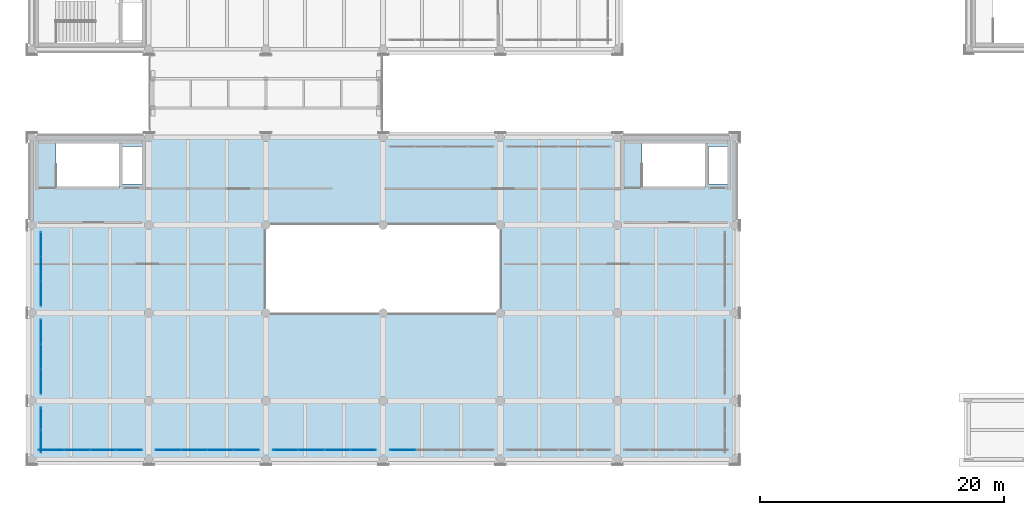
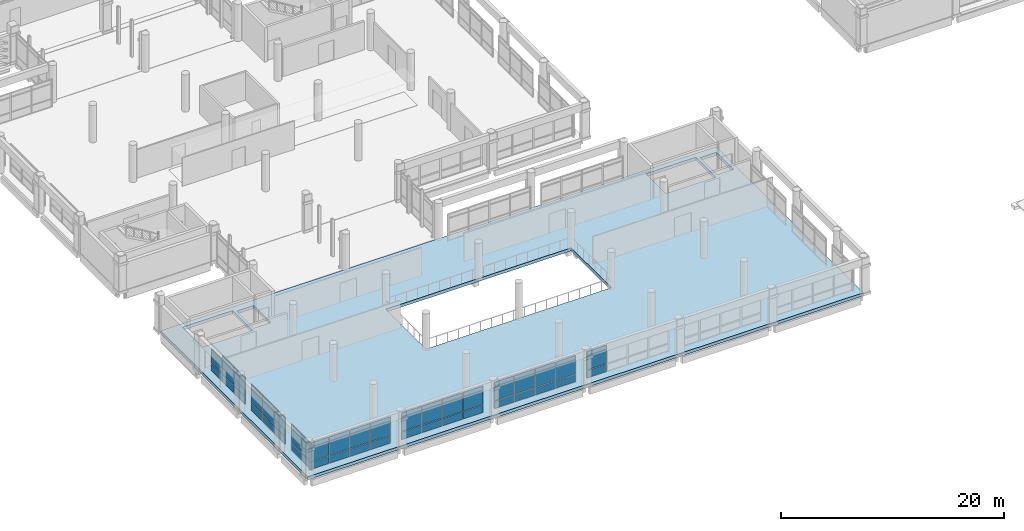
# One storey, part 120 of 180: 62 plates, 1 slab, 7 elements without a shape of their own.
"""IFC4 building model written with IfcOpenShell, lengths in metres."""

from ifc_helpers import new_model, si_unit, direction, frame, origin, origin_2d, place, context, subcontext, project, spatial, polyline, rectangle, outline, extrude, material, layer, layer_set, type_object, element, aggregate, save


model = new_model("IFC4")

# Units and contexts
model_context = context("Model", 3, precision=1e-05, world=origin(), true_north=direction((0.0, 1.0)))
body_context = subcontext(model_context, "Body", "Model", "MODEL_VIEW")
ifc_project = project(units=[si_unit("LENGTHUNIT", "METRE"), si_unit("AREAUNIT", "SQUARE_METRE"), si_unit("VOLUMEUNIT", "CUBIC_METRE"), si_unit("PLANEANGLEUNIT", "RADIAN"), si_unit("MASSUNIT", "GRAM", prefix="KILO")], contexts=[model_context])

# Site, building, storey
site_placement = place(None, origin())
site = spatial("IfcSite", under=ifc_project, at=site_placement, CompositionType="ELEMENT")
building_placement = place(site_placement, origin())
building = spatial("IfcBuilding", under=site, at=building_placement, Name="Asteropetra Specialist Clinic", CompositionType="ELEMENT")
storey_placement = place(building_placement, frame((0.0, 0.0, 4.419921875)))
storey = spatial("IfcBuildingStorey", under=building, at=storey_placement, Name="L01", CompositionType="ELEMENT", Elevation=4.419921875)

# Curtain wall, plates
ifc_material_1 = material(Name="Aluminium and low-E glass", Category="aluminium")
ifc_layer_1 = layer(ifc_material_1, 0.135009765625)
ifc_layer_set_1 = layer_set([ifc_layer_1], Name="Aluminium and low-E glass")
curtain_wall_type_1 = type_object("IfcCurtainWallType", Name="CW-SYS-09", PredefinedType="USERDEFINED", material=ifc_layer_set_1)
curtain_wall_1_placement = place(storey_placement, origin())
curtain_wall_1 = element("IfcCurtainWall", 1, at=curtain_wall_1_placement, inside=storey, type_object=curtain_wall_type_1, Name="Curtain Wall CW-136", ObjectType="STICK GLAZED COLONNADE", PredefinedType="USERDEFINED")
ifc_material_2 = material(Name="Low-E double glazing", Category="glass")
ifc_layer_2 = layer(ifc_material_2, 0.028076171875)
ifc_layer_set_2 = layer_set([ifc_layer_2], Name="Low-E double glazing")
plate_type_1 = type_object("IfcPlateType", Name="CWP-GLZ-28", PredefinedType="CURTAIN_PANEL", material=ifc_layer_set_2)
plate_1_placement = place(storey_placement, frame((30.398681640625, 0.780029296875, 0.06494140625), z_axis=(0.0, 0.0, 1.0), x_axis=(1.0, 0.0, 0.0)))
plate_1 = element("IfcPlate", 2, at=plate_1_placement, type_object=plate_type_1, Name="CW-136 panel 1.1", PredefinedType="CURTAIN_PANEL", context=body_context, shape_type="SweptSolid", body=[
    extrude(rectangle(XDim=2.047607421875, YDim=0.028076171875, at=origin_2d()), origin(), (0.0, 0.0, 1.0), 0.802490234375),
])
plate_2_placement = place(storey_placement, frame((30.398681640625, 0.780029296875, 0.9326171875), z_axis=(0.0, 0.0, 1.0), x_axis=(1.0, 0.0, 0.0)))
plate_2 = element("IfcPlate", 3, at=plate_2_placement, type_object=plate_type_1, Name="CW-136 panel 1.2", PredefinedType="CURTAIN_PANEL", context=body_context, shape_type="SweptSolid", body=[
    extrude(rectangle(XDim=2.047607421875, YDim=0.028076171875, at=origin_2d()), origin(), (0.0, 0.0, 1.0), 1.544921875),
])
plate_3_placement = place(storey_placement, frame((30.398681640625, 0.780029296875, 2.54248046875), z_axis=(0.0, 0.0, 1.0), x_axis=(1.0, 0.0, 0.0)))
plate_3 = element("IfcPlate", 4, at=plate_3_placement, type_object=plate_type_1, Name="CW-136 panel 1.3", PredefinedType="CURTAIN_PANEL", context=body_context, shape_type="SweptSolid", body=[
    extrude(rectangle(XDim=2.047607421875, YDim=0.028076171875, at=origin_2d()), origin(), (0.0, 0.0, 1.0), 0.402587890625),
])
aggregate(curtain_wall_1, [plate_1, plate_2, plate_3])

curtain_wall_2_placement = place(storey_placement, origin())
curtain_wall_2 = element("IfcCurtainWall", 5, at=curtain_wall_2_placement, inside=storey, type_object=curtain_wall_type_1, Name="Curtain Wall CW-133", ObjectType="STICK GLAZED COLONNADE", PredefinedType="USERDEFINED")
ifc_material_3 = material(Name="Low-E acoustic double glazing", Category="glass")
ifc_layer_3 = layer(ifc_material_3, 0.031982421875)
ifc_layer_set_3 = layer_set([ifc_layer_3], Name="Low-E acoustic double glazing")
plate_type_2 = type_object("IfcPlateType", Name="CWP-GLZ-32", PredefinedType="CURTAIN_PANEL", material=ifc_layer_set_3)
plate_4_placement = place(storey_placement, frame((1.5986328125, 0.780029296875, 0.06494140625), z_axis=(0.0, 0.0, 1.0), x_axis=(1.0, 0.0, 0.0)))
plate_4 = element("IfcPlate", 6, at=plate_4_placement, type_object=plate_type_2, Name="CW-133 panel 1.1", PredefinedType="CURTAIN_PANEL", context=body_context, shape_type="SweptSolid", body=[
    extrude(rectangle(XDim=2.047607421875, YDim=0.031982421875, at=origin_2d()), origin(), (0.0, 0.0, 1.0), 0.802490234375),
])
plate_5_placement = place(storey_placement, frame((1.5986328125, 0.780029296875, 0.9326171875), z_axis=(0.0, 0.0, 1.0), x_axis=(1.0, 0.0, 0.0)))
plate_5 = element("IfcPlate", 7, at=plate_5_placement, type_object=plate_type_2, Name="CW-133 panel 1.2", PredefinedType="CURTAIN_PANEL", context=body_context, shape_type="SweptSolid", body=[
    extrude(rectangle(XDim=2.047607421875, YDim=0.031982421875, at=origin_2d()), origin(), (0.0, 0.0, 1.0), 1.544921875),
])
plate_6_placement = place(storey_placement, frame((1.5986328125, 0.780029296875, 2.54248046875), z_axis=(0.0, 0.0, 1.0), x_axis=(1.0, 0.0, 0.0)))
plate_6 = element("IfcPlate", 8, at=plate_6_placement, type_object=plate_type_2, Name="CW-133 panel 1.3", PredefinedType="CURTAIN_PANEL", context=body_context, shape_type="SweptSolid", body=[
    extrude(rectangle(XDim=2.047607421875, YDim=0.031982421875, at=origin_2d()), origin(), (0.0, 0.0, 1.0), 0.402587890625),
])
plate_7_placement = place(storey_placement, frame((3.7275390625, 0.780029296875, 0.06494140625), z_axis=(0.0, 0.0, 1.0), x_axis=(1.0, 0.0, 0.0)))
plate_7 = element("IfcPlate", 9, at=plate_7_placement, type_object=plate_type_2, Name="CW-133 panel 2.1", PredefinedType="CURTAIN_PANEL", context=body_context, shape_type="SweptSolid", body=[
    extrude(rectangle(XDim=2.080078125, YDim=0.031982421875, at=origin_2d()), origin(), (0.0, 0.0, 1.0), 0.802490234375),
])
plate_8_placement = place(storey_placement, frame((3.7275390625, 0.780029296875, 0.9326171875), z_axis=(0.0, 0.0, 1.0), x_axis=(1.0, 0.0, 0.0)))
plate_8 = element("IfcPlate", 10, at=plate_8_placement, type_object=plate_type_2, Name="CW-133 panel 2.2", PredefinedType="CURTAIN_PANEL", context=body_context, shape_type="SweptSolid", body=[
    extrude(rectangle(XDim=2.080078125, YDim=0.031982421875, at=origin_2d()), origin(), (0.0, 0.0, 1.0), 1.544921875),
])
plate_9_placement = place(storey_placement, frame((3.7275390625, 0.780029296875, 2.54248046875), z_axis=(0.0, 0.0, 1.0), x_axis=(1.0, 0.0, 0.0)))
plate_9 = element("IfcPlate", 11, at=plate_9_placement, type_object=plate_type_2, Name="CW-133 panel 2.3", PredefinedType="CURTAIN_PANEL", context=body_context, shape_type="SweptSolid", body=[
    extrude(rectangle(XDim=2.080078125, YDim=0.031982421875, at=origin_2d()), origin(), (0.0, 0.0, 1.0), 0.402587890625),
])
plate_10_placement = place(storey_placement, frame((5.87255859375, 0.780029296875, 0.06494140625), z_axis=(0.0, 0.0, 1.0), x_axis=(1.0, 0.0, 0.0)))
plate_10 = element("IfcPlate", 12, at=plate_10_placement, type_object=plate_type_2, Name="CW-133 panel 3.1", PredefinedType="CURTAIN_PANEL", context=body_context, shape_type="SweptSolid", body=[
    extrude(rectangle(XDim=2.080078125, YDim=0.031982421875, at=origin_2d()), origin(), (0.0, 0.0, 1.0), 0.802490234375),
])
plate_11_placement = place(storey_placement, frame((5.87255859375, 0.780029296875, 0.9326171875), z_axis=(0.0, 0.0, 1.0), x_axis=(1.0, 0.0, 0.0)))
plate_11 = element("IfcPlate", 13, at=plate_11_placement, type_object=plate_type_2, Name="CW-133 panel 3.2", PredefinedType="CURTAIN_PANEL", context=body_context, shape_type="SweptSolid", body=[
    extrude(rectangle(XDim=2.080078125, YDim=0.031982421875, at=origin_2d()), origin(), (0.0, 0.0, 1.0), 1.544921875),
])
plate_12_placement = place(storey_placement, frame((5.87255859375, 0.780029296875, 2.54248046875), z_axis=(0.0, 0.0, 1.0), x_axis=(1.0, 0.0, 0.0)))
plate_12 = element("IfcPlate", 14, at=plate_12_placement, type_object=plate_type_2, Name="CW-133 panel 3.3", PredefinedType="CURTAIN_PANEL", context=body_context, shape_type="SweptSolid", body=[
    extrude(rectangle(XDim=2.080078125, YDim=0.031982421875, at=origin_2d()), origin(), (0.0, 0.0, 1.0), 0.402587890625),
])
plate_13_placement = place(storey_placement, frame((8.001220703125, 0.780029296875, 0.06494140625), z_axis=(0.0, 0.0, 1.0), x_axis=(1.0, 0.0, 0.0)))
plate_13 = element("IfcPlate", 15, at=plate_13_placement, type_object=plate_type_2, Name="CW-133 panel 4.1", PredefinedType="CURTAIN_PANEL", context=body_context, shape_type="SweptSolid", body=[
    extrude(rectangle(XDim=2.047607421875, YDim=0.031982421875, at=origin_2d()), origin(), (0.0, 0.0, 1.0), 0.802490234375),
])
plate_14_placement = place(storey_placement, frame((8.001220703125, 0.780029296875, 0.9326171875), z_axis=(0.0, 0.0, 1.0), x_axis=(1.0, 0.0, 0.0)))
plate_14 = element("IfcPlate", 16, at=plate_14_placement, type_object=plate_type_2, Name="CW-133 panel 4.2", PredefinedType="CURTAIN_PANEL", context=body_context, shape_type="SweptSolid", body=[
    extrude(rectangle(XDim=2.047607421875, YDim=0.031982421875, at=origin_2d()), origin(), (0.0, 0.0, 1.0), 1.544921875),
])
plate_15_placement = place(storey_placement, frame((8.001220703125, 0.780029296875, 2.54248046875), z_axis=(0.0, 0.0, 1.0), x_axis=(1.0, 0.0, 0.0)))
plate_15 = element("IfcPlate", 17, at=plate_15_placement, type_object=plate_type_2, Name="CW-133 panel 4.3", PredefinedType="CURTAIN_PANEL", context=body_context, shape_type="SweptSolid", body=[
    extrude(rectangle(XDim=2.047607421875, YDim=0.031982421875, at=origin_2d()), origin(), (0.0, 0.0, 1.0), 0.402587890625),
])
aggregate(curtain_wall_2, [plate_4, plate_5, plate_6, plate_7, plate_8, plate_9, plate_10, plate_11, plate_12, plate_13, plate_14, plate_15])

ifc_material_4 = material(Name="Aluminium and low-E glass", Category="aluminium")
ifc_layer_4 = layer(ifc_material_4, 0.179931640625)
ifc_layer_set_4 = layer_set([ifc_layer_4], Name="Aluminium and low-E glass")
curtain_wall_type_2 = type_object("IfcCurtainWallType", Name="CW-SYS-10", PredefinedType="USERDEFINED", material=ifc_layer_set_4)
curtain_wall_3_placement = place(storey_placement, origin())
curtain_wall_3 = element("IfcCurtainWall", 18, at=curtain_wall_3_placement, inside=storey, type_object=curtain_wall_type_2, Name="Curtain Wall CW-141", ObjectType="STICK GLAZED COLONNADE", PredefinedType="USERDEFINED")
plate_16_placement = place(storey_placement, frame((0.780029296875, 3.326171875, 0.074951171875), z_axis=(0.0, 0.0, 1.0), x_axis=(0.0, -1.0, 0.0)))
plate_16 = element("IfcPlate", 19, at=plate_16_placement, type_object=plate_type_2, Name="CW-141 panel 1.1", PredefinedType="CURTAIN_PANEL", context=body_context, shape_type="SweptSolid", body=[
    extrude(rectangle(XDim=1.777587890625, YDim=0.031982421875, at=origin_2d()), origin(), (0.0, 0.0, 1.0), 0.78759765625),
])
plate_17_placement = place(storey_placement, frame((0.780029296875, 3.326171875, 0.9375), z_axis=(0.0, 0.0, 1.0), x_axis=(0.0, -1.0, 0.0)))
plate_17 = element("IfcPlate", 20, at=plate_17_placement, type_object=plate_type_2, Name="CW-141 panel 1.2", PredefinedType="CURTAIN_PANEL", context=body_context, shape_type="SweptSolid", body=[
    extrude(rectangle(XDim=1.777587890625, YDim=0.031982421875, at=origin_2d()), origin(), (0.0, 0.0, 1.0), 1.534912109375),
])
plate_18_placement = place(storey_placement, frame((0.780029296875, 3.326171875, 2.54736328125), z_axis=(0.0, 0.0, 1.0), x_axis=(0.0, -1.0, 0.0)))
plate_18 = element("IfcPlate", 21, at=plate_18_placement, type_object=plate_type_2, Name="CW-141 panel 1.3", PredefinedType="CURTAIN_PANEL", context=body_context, shape_type="SweptSolid", body=[
    extrude(rectangle(XDim=1.777587890625, YDim=0.031982421875, at=origin_2d()), origin(), (0.0, 0.0, 1.0), 0.387451171875),
])
plate_19_placement = place(storey_placement, frame((0.780029296875, 1.4736328125, 0.074951171875), z_axis=(0.0, 0.0, 1.0), x_axis=(0.0, -1.0, 0.0)))
plate_19 = element("IfcPlate", 22, at=plate_19_placement, type_object=plate_type_2, Name="CW-141 panel 2.1", PredefinedType="CURTAIN_PANEL", context=body_context, shape_type="SweptSolid", body=[
    extrude(rectangle(XDim=1.777587890625, YDim=0.031982421875, at=origin_2d()), origin(), (0.0, 0.0, 1.0), 0.78759765625),
])
plate_20_placement = place(storey_placement, frame((0.780029296875, 1.4736328125, 0.9375), z_axis=(0.0, 0.0, 1.0), x_axis=(0.0, -1.0, 0.0)))
plate_20 = element("IfcPlate", 23, at=plate_20_placement, type_object=plate_type_2, Name="CW-141 panel 2.2", PredefinedType="CURTAIN_PANEL", context=body_context, shape_type="SweptSolid", body=[
    extrude(rectangle(XDim=1.777587890625, YDim=0.031982421875, at=origin_2d()), origin(), (0.0, 0.0, 1.0), 1.534912109375),
])
plate_21_placement = place(storey_placement, frame((0.780029296875, 1.4736328125, 2.54736328125), z_axis=(0.0, 0.0, 1.0), x_axis=(0.0, -1.0, 0.0)))
plate_21 = element("IfcPlate", 24, at=plate_21_placement, type_object=plate_type_2, Name="CW-141 panel 2.3", PredefinedType="CURTAIN_PANEL", context=body_context, shape_type="SweptSolid", body=[
    extrude(rectangle(XDim=1.777587890625, YDim=0.031982421875, at=origin_2d()), origin(), (0.0, 0.0, 1.0), 0.387451171875),
])
aggregate(curtain_wall_3, [plate_16, plate_17, plate_18, plate_19, plate_20, plate_21])

curtain_wall_4_placement = place(storey_placement, origin())
curtain_wall_4 = element("IfcCurtainWall", 25, at=curtain_wall_4_placement, inside=storey, type_object=curtain_wall_type_2, Name="Curtain Wall CW-145", ObjectType="STICK GLAZED COLONNADE", PredefinedType="USERDEFINED")
plate_22_placement = place(storey_placement, frame((0.780029296875, 17.643798828125, 0.06494140625), z_axis=(0.0, 0.0, 1.0), x_axis=(0.0, -1.0, 0.0)))
plate_22 = element("IfcPlate", 26, at=plate_22_placement, type_object=plate_type_2, Name="CW-145 panel 1.1", PredefinedType="CURTAIN_PANEL", context=body_context, shape_type="SweptSolid", body=[
    extrude(rectangle(XDim=1.96240234375, YDim=0.031982421875, at=origin_2d()), origin(), (0.0, 0.0, 1.0), 0.802490234375),
])
plate_23_placement = place(storey_placement, frame((0.780029296875, 17.643798828125, 0.9326171875), z_axis=(0.0, 0.0, 1.0), x_axis=(0.0, -1.0, 0.0)))
plate_23 = element("IfcPlate", 27, at=plate_23_placement, type_object=plate_type_2, Name="CW-145 panel 1.2", PredefinedType="CURTAIN_PANEL", context=body_context, shape_type="SweptSolid", body=[
    extrude(rectangle(XDim=1.96240234375, YDim=0.031982421875, at=origin_2d()), origin(), (0.0, 0.0, 1.0), 1.544921875),
])
plate_24_placement = place(storey_placement, frame((0.780029296875, 15.60009765625, 0.06494140625), z_axis=(0.0, 0.0, 1.0), x_axis=(0.0, -1.0, 0.0)))
plate_24 = element("IfcPlate", 28, at=plate_24_placement, type_object=plate_type_2, Name="CW-145 panel 2.1", PredefinedType="CURTAIN_PANEL", context=body_context, shape_type="SweptSolid", body=[
    extrude(rectangle(XDim=1.9951171875, YDim=0.031982421875, at=origin_2d()), origin(), (0.0, 0.0, 1.0), 0.802490234375),
])
plate_25_placement = place(storey_placement, frame((0.780029296875, 15.60009765625, 0.9326171875), z_axis=(0.0, 0.0, 1.0), x_axis=(0.0, -1.0, 0.0)))
plate_25 = element("IfcPlate", 29, at=plate_25_placement, type_object=plate_type_2, Name="CW-145 panel 2.2", PredefinedType="CURTAIN_PANEL", context=body_context, shape_type="SweptSolid", body=[
    extrude(rectangle(XDim=1.9951171875, YDim=0.031982421875, at=origin_2d()), origin(), (0.0, 0.0, 1.0), 1.544921875),
])
plate_26_placement = place(storey_placement, frame((0.780029296875, 15.60009765625, 2.54248046875), z_axis=(0.0, 0.0, 1.0), x_axis=(0.0, -1.0, 0.0)))
plate_26 = element("IfcPlate", 30, at=plate_26_placement, type_object=plate_type_2, Name="CW-145 panel 2.3", PredefinedType="CURTAIN_PANEL", context=body_context, shape_type="SweptSolid", body=[
    extrude(rectangle(XDim=1.9951171875, YDim=0.031982421875, at=origin_2d()), origin(), (0.0, 0.0, 1.0), 0.402587890625),
])
plate_27_placement = place(storey_placement, frame((0.780029296875, 13.55615234375, 0.06494140625), z_axis=(0.0, 0.0, 1.0), x_axis=(0.0, -1.0, 0.0)))
plate_27 = element("IfcPlate", 31, at=plate_27_placement, type_object=plate_type_2, Name="CW-145 panel 3.1", PredefinedType="CURTAIN_PANEL", context=body_context, shape_type="SweptSolid", body=[
    extrude(rectangle(XDim=1.96240234375, YDim=0.031982421875, at=origin_2d()), origin(), (0.0, 0.0, 1.0), 0.802490234375),
])
plate_28_placement = place(storey_placement, frame((0.780029296875, 13.55615234375, 0.9326171875), z_axis=(0.0, 0.0, 1.0), x_axis=(0.0, -1.0, 0.0)))
plate_28 = element("IfcPlate", 32, at=plate_28_placement, type_object=plate_type_2, Name="CW-145 panel 3.2", PredefinedType="CURTAIN_PANEL", context=body_context, shape_type="SweptSolid", body=[
    extrude(rectangle(XDim=1.96240234375, YDim=0.031982421875, at=origin_2d()), origin(), (0.0, 0.0, 1.0), 1.544921875),
])
plate_29_placement = place(storey_placement, frame((0.780029296875, 13.55615234375, 2.54248046875), z_axis=(0.0, 0.0, 1.0), x_axis=(0.0, -1.0, 0.0)))
plate_29 = element("IfcPlate", 33, at=plate_29_placement, type_object=plate_type_2, Name="CW-145 panel 3.3", PredefinedType="CURTAIN_PANEL", context=body_context, shape_type="SweptSolid", body=[
    extrude(rectangle(XDim=1.96240234375, YDim=0.031982421875, at=origin_2d()), origin(), (0.0, 0.0, 1.0), 0.402587890625),
])
aggregate(curtain_wall_4, [plate_22, plate_23, plate_24, plate_25, plate_26, plate_27, plate_28, plate_29])

curtain_wall_5_placement = place(storey_placement, origin())
curtain_wall_5 = element("IfcCurtainWall", 34, at=curtain_wall_5_placement, inside=storey, type_object=curtain_wall_type_2, Name="Curtain Wall CW-134", ObjectType="STICK GLAZED COLONNADE", PredefinedType="USERDEFINED")
ifc_material_5 = material(Name="Solar-control triple glazing", Category="glass")
ifc_layer_5 = layer(ifc_material_5, 0.035888671875)
ifc_layer_set_5 = layer_set([ifc_layer_5], Name="Solar-control triple glazing")
plate_type_3 = type_object("IfcPlateType", Name="CWP-GLZ-36", PredefinedType="CURTAIN_PANEL", material=ifc_layer_set_5)
plate_30_placement = place(storey_placement, frame((11.197509765625, 0.780029296875, 0.06005859375), z_axis=(0.0, 0.0, 1.0), x_axis=(1.0, 0.0, 0.0)))
plate_30 = element("IfcPlate", 35, at=plate_30_placement, type_object=plate_type_3, Name="CW-134 panel 1.1", PredefinedType="CURTAIN_PANEL", context=body_context, shape_type="SweptSolid", body=[
    extrude(rectangle(XDim=2.054931640625, YDim=0.035888671875, at=origin_2d()), origin(), (0.0, 0.0, 1.0), 0.81005859375),
])
plate_31_placement = place(storey_placement, frame((11.197509765625, 0.780029296875, 0.93017578125), z_axis=(0.0, 0.0, 1.0), x_axis=(1.0, 0.0, 0.0)))
plate_31 = element("IfcPlate", 36, at=plate_31_placement, type_object=plate_type_3, Name="CW-134 panel 1.2", PredefinedType="CURTAIN_PANEL", context=body_context, shape_type="SweptSolid", body=[
    extrude(rectangle(XDim=2.054931640625, YDim=0.035888671875, at=origin_2d()), origin(), (0.0, 0.0, 1.0), 1.550048828125),
])
plate_32_placement = place(storey_placement, frame((11.197509765625, 0.780029296875, 2.5400390625), z_axis=(0.0, 0.0, 1.0), x_axis=(1.0, 0.0, 0.0)))
plate_32 = element("IfcPlate", 37, at=plate_32_placement, type_object=plate_type_3, Name="CW-134 panel 1.3", PredefinedType="CURTAIN_PANEL", context=body_context, shape_type="SweptSolid", body=[
    extrude(rectangle(XDim=2.054931640625, YDim=0.035888671875, at=origin_2d()), origin(), (0.0, 0.0, 1.0), 0.409912109375),
])
plate_33_placement = place(storey_placement, frame((13.327392578125, 0.780029296875, 0.06005859375), z_axis=(0.0, 0.0, 1.0), x_axis=(1.0, 0.0, 0.0)))
plate_33 = element("IfcPlate", 38, at=plate_33_placement, type_object=plate_type_3, Name="CW-134 panel 2.1", PredefinedType="CURTAIN_PANEL", context=body_context, shape_type="SweptSolid", body=[
    extrude(rectangle(XDim=2.0849609375, YDim=0.035888671875, at=origin_2d()), origin(), (0.0, 0.0, 1.0), 0.81005859375),
])
plate_34_placement = place(storey_placement, frame((13.327392578125, 0.780029296875, 0.93017578125), z_axis=(0.0, 0.0, 1.0), x_axis=(1.0, 0.0, 0.0)))
plate_34 = element("IfcPlate", 39, at=plate_34_placement, type_object=plate_type_3, Name="CW-134 panel 2.2", PredefinedType="CURTAIN_PANEL", context=body_context, shape_type="SweptSolid", body=[
    extrude(rectangle(XDim=2.0849609375, YDim=0.035888671875, at=origin_2d()), origin(), (0.0, 0.0, 1.0), 1.550048828125),
])
plate_35_placement = place(storey_placement, frame((13.327392578125, 0.780029296875, 2.5400390625), z_axis=(0.0, 0.0, 1.0), x_axis=(1.0, 0.0, 0.0)))
plate_35 = element("IfcPlate", 40, at=plate_35_placement, type_object=plate_type_3, Name="CW-134 panel 2.3", PredefinedType="CURTAIN_PANEL", context=body_context, shape_type="SweptSolid", body=[
    extrude(rectangle(XDim=2.0849609375, YDim=0.035888671875, at=origin_2d()), origin(), (0.0, 0.0, 1.0), 0.409912109375),
])
plate_36_placement = place(storey_placement, frame((15.472412109375, 0.780029296875, 0.06005859375), z_axis=(0.0, 0.0, 1.0), x_axis=(1.0, 0.0, 0.0)))
plate_36 = element("IfcPlate", 41, at=plate_36_placement, type_object=plate_type_3, Name="CW-134 panel 3.1", PredefinedType="CURTAIN_PANEL", context=body_context, shape_type="SweptSolid", body=[
    extrude(rectangle(XDim=2.0849609375, YDim=0.035888671875, at=origin_2d()), origin(), (0.0, 0.0, 1.0), 0.81005859375),
])
plate_37_placement = place(storey_placement, frame((15.472412109375, 0.780029296875, 0.93017578125), z_axis=(0.0, 0.0, 1.0), x_axis=(1.0, 0.0, 0.0)))
plate_37 = element("IfcPlate", 42, at=plate_37_placement, type_object=plate_type_3, Name="CW-134 panel 3.2", PredefinedType="CURTAIN_PANEL", context=body_context, shape_type="SweptSolid", body=[
    extrude(rectangle(XDim=2.0849609375, YDim=0.035888671875, at=origin_2d()), origin(), (0.0, 0.0, 1.0), 1.550048828125),
])
plate_38_placement = place(storey_placement, frame((15.472412109375, 0.780029296875, 2.5400390625), z_axis=(0.0, 0.0, 1.0), x_axis=(1.0, 0.0, 0.0)))
plate_38 = element("IfcPlate", 43, at=plate_38_placement, type_object=plate_type_3, Name="CW-134 panel 3.3", PredefinedType="CURTAIN_PANEL", context=body_context, shape_type="SweptSolid", body=[
    extrude(rectangle(XDim=2.0849609375, YDim=0.035888671875, at=origin_2d()), origin(), (0.0, 0.0, 1.0), 0.409912109375),
])
plate_39_placement = place(storey_placement, frame((17.6025390625, 0.780029296875, 0.06005859375), z_axis=(0.0, 0.0, 1.0), x_axis=(1.0, 0.0, 0.0)))
plate_39 = element("IfcPlate", 44, at=plate_39_placement, type_object=plate_type_3, Name="CW-134 panel 4.1", PredefinedType="CURTAIN_PANEL", context=body_context, shape_type="SweptSolid", body=[
    extrude(rectangle(XDim=2.054931640625, YDim=0.035888671875, at=origin_2d()), origin(), (0.0, 0.0, 1.0), 0.81005859375),
])
plate_40_placement = place(storey_placement, frame((17.6025390625, 0.780029296875, 0.93017578125), z_axis=(0.0, 0.0, 1.0), x_axis=(1.0, 0.0, 0.0)))
plate_40 = element("IfcPlate", 45, at=plate_40_placement, type_object=plate_type_3, Name="CW-134 panel 4.2", PredefinedType="CURTAIN_PANEL", context=body_context, shape_type="SweptSolid", body=[
    extrude(rectangle(XDim=2.054931640625, YDim=0.035888671875, at=origin_2d()), origin(), (0.0, 0.0, 1.0), 1.550048828125),
])
plate_41_placement = place(storey_placement, frame((17.6025390625, 0.780029296875, 2.5400390625), z_axis=(0.0, 0.0, 1.0), x_axis=(1.0, 0.0, 0.0)))
plate_41 = element("IfcPlate", 46, at=plate_41_placement, type_object=plate_type_3, Name="CW-134 panel 4.3", PredefinedType="CURTAIN_PANEL", context=body_context, shape_type="SweptSolid", body=[
    extrude(rectangle(XDim=2.054931640625, YDim=0.035888671875, at=origin_2d()), origin(), (0.0, 0.0, 1.0), 0.409912109375),
])
aggregate(curtain_wall_5, [plate_30, plate_31, plate_32, plate_33, plate_34, plate_35, plate_36, plate_37, plate_38, plate_39, plate_40, plate_41])

ifc_material_6 = material(Name="Aluminium and low-E glass", Category="aluminium")
ifc_layer_6 = layer(ifc_material_6, 0.135009765625)
ifc_layer_set_6 = layer_set([ifc_layer_6], Name="Aluminium and low-E glass")
curtain_wall_type_3 = type_object("IfcCurtainWallType", Name="CW-SYS-12", PredefinedType="USERDEFINED", material=ifc_layer_set_6)
curtain_wall_6_placement = place(storey_placement, origin())
curtain_wall_6 = element("IfcCurtainWall", 47, at=curtain_wall_6_placement, inside=storey, type_object=curtain_wall_type_3, Name="Curtain Wall CW-135", ObjectType="STICK GLAZED COLONNADE", PredefinedType="USERDEFINED")
ifc_material_7 = material(Name="Laminated skylight glazing", Category="glass")
ifc_layer_7 = layer(ifc_material_7, 0.0400390625)
ifc_layer_set_7 = layer_set([ifc_layer_7], Name="Laminated skylight glazing")
plate_type_4 = type_object("IfcPlateType", Name="CWP-GLZ-40", PredefinedType="CURTAIN_PANEL", material=ifc_layer_set_7)
plate_42_placement = place(storey_placement, frame((20.80126953125, 0.780029296875, 0.074951171875), z_axis=(0.0, 0.0, 1.0), x_axis=(1.0, 0.0, 0.0)))
plate_42 = element("IfcPlate", 48, at=plate_42_placement, type_object=plate_type_4, Name="CW-135 panel 1.1", PredefinedType="CURTAIN_PANEL", context=body_context, shape_type="SweptSolid", body=[
    extrude(rectangle(XDim=2.032470703125, YDim=0.0400390625, at=origin_2d()), origin(), (0.0, 0.0, 1.0), 0.78759765625),
])
plate_43_placement = place(storey_placement, frame((20.80126953125, 0.780029296875, 0.9375), z_axis=(0.0, 0.0, 1.0), x_axis=(1.0, 0.0, 0.0)))
plate_43 = element("IfcPlate", 49, at=plate_43_placement, type_object=plate_type_4, Name="CW-135 panel 1.2", PredefinedType="CURTAIN_PANEL", context=body_context, shape_type="SweptSolid", body=[
    extrude(rectangle(XDim=2.032470703125, YDim=0.0400390625, at=origin_2d()), origin(), (0.0, 0.0, 1.0), 1.534912109375),
])
plate_44_placement = place(storey_placement, frame((20.80126953125, 0.780029296875, 2.54736328125), z_axis=(0.0, 0.0, 1.0), x_axis=(1.0, 0.0, 0.0)))
plate_44 = element("IfcPlate", 50, at=plate_44_placement, type_object=plate_type_4, Name="CW-135 panel 1.3", PredefinedType="CURTAIN_PANEL", context=body_context, shape_type="SweptSolid", body=[
    extrude(rectangle(XDim=2.032470703125, YDim=0.0400390625, at=origin_2d()), origin(), (0.0, 0.0, 1.0), 0.387451171875),
])
plate_45_placement = place(storey_placement, frame((22.927490234375, 0.780029296875, 0.074951171875), z_axis=(0.0, 0.0, 1.0), x_axis=(1.0, 0.0, 0.0)))
plate_45 = element("IfcPlate", 51, at=plate_45_placement, type_object=plate_type_4, Name="CW-135 panel 2.1", PredefinedType="CURTAIN_PANEL", context=body_context, shape_type="SweptSolid", body=[
    extrude(rectangle(XDim=2.070068359375, YDim=0.0400390625, at=origin_2d()), origin(), (0.0, 0.0, 1.0), 0.78759765625),
])
plate_46_placement = place(storey_placement, frame((22.927490234375, 0.780029296875, 0.9375), z_axis=(0.0, 0.0, 1.0), x_axis=(1.0, 0.0, 0.0)))
plate_46 = element("IfcPlate", 52, at=plate_46_placement, type_object=plate_type_4, Name="CW-135 panel 2.2", PredefinedType="CURTAIN_PANEL", context=body_context, shape_type="SweptSolid", body=[
    extrude(rectangle(XDim=2.070068359375, YDim=0.0400390625, at=origin_2d()), origin(), (0.0, 0.0, 1.0), 1.534912109375),
])
plate_47_placement = place(storey_placement, frame((22.927490234375, 0.780029296875, 2.54736328125), z_axis=(0.0, 0.0, 1.0), x_axis=(1.0, 0.0, 0.0)))
plate_47 = element("IfcPlate", 53, at=plate_47_placement, type_object=plate_type_4, Name="CW-135 panel 2.3", PredefinedType="CURTAIN_PANEL", context=body_context, shape_type="SweptSolid", body=[
    extrude(rectangle(XDim=2.070068359375, YDim=0.0400390625, at=origin_2d()), origin(), (0.0, 0.0, 1.0), 0.387451171875),
])
plate_48_placement = place(storey_placement, frame((25.072509765625, 0.780029296875, 0.074951171875), z_axis=(0.0, 0.0, 1.0), x_axis=(1.0, 0.0, 0.0)))
plate_48 = element("IfcPlate", 54, at=plate_48_placement, type_object=plate_type_4, Name="CW-135 panel 3.1", PredefinedType="CURTAIN_PANEL", context=body_context, shape_type="SweptSolid", body=[
    extrude(rectangle(XDim=2.070068359375, YDim=0.0400390625, at=origin_2d()), origin(), (0.0, 0.0, 1.0), 0.78759765625),
])
plate_49_placement = place(storey_placement, frame((25.072509765625, 0.780029296875, 0.9375), z_axis=(0.0, 0.0, 1.0), x_axis=(1.0, 0.0, 0.0)))
plate_49 = element("IfcPlate", 55, at=plate_49_placement, type_object=plate_type_4, Name="CW-135 panel 3.2", PredefinedType="CURTAIN_PANEL", context=body_context, shape_type="SweptSolid", body=[
    extrude(rectangle(XDim=2.070068359375, YDim=0.0400390625, at=origin_2d()), origin(), (0.0, 0.0, 1.0), 1.534912109375),
])
plate_50_placement = place(storey_placement, frame((25.072509765625, 0.780029296875, 2.54736328125), z_axis=(0.0, 0.0, 1.0), x_axis=(1.0, 0.0, 0.0)))
plate_50 = element("IfcPlate", 56, at=plate_50_placement, type_object=plate_type_4, Name="CW-135 panel 3.3", PredefinedType="CURTAIN_PANEL", context=body_context, shape_type="SweptSolid", body=[
    extrude(rectangle(XDim=2.070068359375, YDim=0.0400390625, at=origin_2d()), origin(), (0.0, 0.0, 1.0), 0.387451171875),
])
plate_51_placement = place(storey_placement, frame((27.19873046875, 0.780029296875, 0.074951171875), z_axis=(0.0, 0.0, 1.0), x_axis=(1.0, 0.0, 0.0)))
plate_51 = element("IfcPlate", 57, at=plate_51_placement, type_object=plate_type_4, Name="CW-135 panel 4.1", PredefinedType="CURTAIN_PANEL", context=body_context, shape_type="SweptSolid", body=[
    extrude(rectangle(XDim=2.032470703125, YDim=0.0400390625, at=origin_2d()), origin(), (0.0, 0.0, 1.0), 0.78759765625),
])
plate_52_placement = place(storey_placement, frame((27.19873046875, 0.780029296875, 0.9375), z_axis=(0.0, 0.0, 1.0), x_axis=(1.0, 0.0, 0.0)))
plate_52 = element("IfcPlate", 58, at=plate_52_placement, type_object=plate_type_4, Name="CW-135 panel 4.2", PredefinedType="CURTAIN_PANEL", context=body_context, shape_type="SweptSolid", body=[
    extrude(rectangle(XDim=2.032470703125, YDim=0.0400390625, at=origin_2d()), origin(), (0.0, 0.0, 1.0), 1.534912109375),
])
plate_53_placement = place(storey_placement, frame((27.19873046875, 0.780029296875, 2.54736328125), z_axis=(0.0, 0.0, 1.0), x_axis=(1.0, 0.0, 0.0)))
plate_53 = element("IfcPlate", 59, at=plate_53_placement, type_object=plate_type_4, Name="CW-135 panel 4.3", PredefinedType="CURTAIN_PANEL", context=body_context, shape_type="SweptSolid", body=[
    extrude(rectangle(XDim=2.032470703125, YDim=0.0400390625, at=origin_2d()), origin(), (0.0, 0.0, 1.0), 0.387451171875),
])
aggregate(curtain_wall_6, [plate_42, plate_43, plate_44, plate_45, plate_46, plate_47, plate_48, plate_49, plate_50, plate_51, plate_52, plate_53])

curtain_wall_7_placement = place(storey_placement, origin())
curtain_wall_7 = element("IfcCurtainWall", 60, at=curtain_wall_7_placement, inside=storey, type_object=curtain_wall_type_2, Name="Curtain Wall CW-143", ObjectType="STICK GLAZED COLONNADE", PredefinedType="USERDEFINED")
plate_54_placement = place(storey_placement, frame((0.780029296875, 10.445068359375, 0.06005859375), z_axis=(0.0, 0.0, 1.0), x_axis=(0.0, -1.0, 0.0)))
plate_54 = element("IfcPlate", 61, at=plate_54_placement, type_object=plate_type_4, Name="CW-143 panel 1.1", PredefinedType="CURTAIN_PANEL", context=body_context, shape_type="SweptSolid", body=[
    extrude(rectangle(XDim=1.969970703125, YDim=0.0400390625, at=origin_2d()), origin(), (0.0, 0.0, 1.0), 0.81005859375),
])
plate_55_placement = place(storey_placement, frame((0.780029296875, 10.445068359375, 0.93017578125), z_axis=(0.0, 0.0, 1.0), x_axis=(0.0, -1.0, 0.0)))
plate_55 = element("IfcPlate", 62, at=plate_55_placement, type_object=plate_type_4, Name="CW-143 panel 1.2", PredefinedType="CURTAIN_PANEL", context=body_context, shape_type="SweptSolid", body=[
    extrude(rectangle(XDim=1.969970703125, YDim=0.0400390625, at=origin_2d()), origin(), (0.0, 0.0, 1.0), 1.550048828125),
])
plate_56_placement = place(storey_placement, frame((0.780029296875, 10.445068359375, 2.5400390625), z_axis=(0.0, 0.0, 1.0), x_axis=(0.0, -1.0, 0.0)))
plate_56 = element("IfcPlate", 63, at=plate_56_placement, type_object=plate_type_4, Name="CW-143 panel 1.3", PredefinedType="CURTAIN_PANEL", context=body_context, shape_type="SweptSolid", body=[
    extrude(rectangle(XDim=1.969970703125, YDim=0.0400390625, at=origin_2d()), origin(), (0.0, 0.0, 1.0), 0.409912109375),
])
plate_57_placement = place(storey_placement, frame((0.780029296875, 8.39990234375, 0.06005859375), z_axis=(0.0, 0.0, 1.0), x_axis=(0.0, -1.0, 0.0)))
plate_57 = element("IfcPlate", 64, at=plate_57_placement, type_object=plate_type_4, Name="CW-143 panel 2.1", PredefinedType="CURTAIN_PANEL", context=body_context, shape_type="SweptSolid", body=[
    extrude(rectangle(XDim=2.0, YDim=0.0400390625, at=origin_2d()), origin(), (0.0, 0.0, 1.0), 0.81005859375),
])
plate_58_placement = place(storey_placement, frame((0.780029296875, 8.39990234375, 0.93017578125), z_axis=(0.0, 0.0, 1.0), x_axis=(0.0, -1.0, 0.0)))
plate_58 = element("IfcPlate", 65, at=plate_58_placement, type_object=plate_type_4, Name="CW-143 panel 2.2", PredefinedType="CURTAIN_PANEL", context=body_context, shape_type="SweptSolid", body=[
    extrude(rectangle(XDim=2.0, YDim=0.0400390625, at=origin_2d()), origin(), (0.0, 0.0, 1.0), 1.550048828125),
])
plate_59_placement = place(storey_placement, frame((0.780029296875, 8.39990234375, 2.5400390625), z_axis=(0.0, 0.0, 1.0), x_axis=(0.0, -1.0, 0.0)))
plate_59 = element("IfcPlate", 66, at=plate_59_placement, type_object=plate_type_4, Name="CW-143 panel 2.3", PredefinedType="CURTAIN_PANEL", context=body_context, shape_type="SweptSolid", body=[
    extrude(rectangle(XDim=2.0, YDim=0.0400390625, at=origin_2d()), origin(), (0.0, 0.0, 1.0), 0.409912109375),
])
plate_60_placement = place(storey_placement, frame((0.780029296875, 6.35498046875, 0.06005859375), z_axis=(0.0, 0.0, 1.0), x_axis=(0.0, -1.0, 0.0)))
plate_60 = element("IfcPlate", 67, at=plate_60_placement, type_object=plate_type_4, Name="CW-143 panel 3.1", PredefinedType="CURTAIN_PANEL", context=body_context, shape_type="SweptSolid", body=[
    extrude(rectangle(XDim=1.969970703125, YDim=0.0400390625, at=origin_2d()), origin(), (0.0, 0.0, 1.0), 0.81005859375),
])
plate_61_placement = place(storey_placement, frame((0.780029296875, 6.35498046875, 0.93017578125), z_axis=(0.0, 0.0, 1.0), x_axis=(0.0, -1.0, 0.0)))
plate_61 = element("IfcPlate", 68, at=plate_61_placement, type_object=plate_type_4, Name="CW-143 panel 3.2", PredefinedType="CURTAIN_PANEL", context=body_context, shape_type="SweptSolid", body=[
    extrude(rectangle(XDim=1.969970703125, YDim=0.0400390625, at=origin_2d()), origin(), (0.0, 0.0, 1.0), 1.550048828125),
])
plate_62_placement = place(storey_placement, frame((0.780029296875, 6.35498046875, 2.5400390625), z_axis=(0.0, 0.0, 1.0), x_axis=(0.0, -1.0, 0.0)))
plate_62 = element("IfcPlate", 69, at=plate_62_placement, type_object=plate_type_4, Name="CW-143 panel 3.3", PredefinedType="CURTAIN_PANEL", context=body_context, shape_type="SweptSolid", body=[
    extrude(rectangle(XDim=1.969970703125, YDim=0.0400390625, at=origin_2d()), origin(), (0.0, 0.0, 1.0), 0.409912109375),
])
aggregate(curtain_wall_7, [plate_54, plate_55, plate_56, plate_57, plate_58, plate_59, plate_60, plate_61, plate_62])

# Slab
ifc_material_8 = material(Name="Concrete C35/45", Category="concrete")
ifc_layer_8 = layer(ifc_material_8, 0.340087890625)
ifc_layer_set_8 = layer_set([ifc_layer_8], Name="Concrete C35/45")
slab_type = type_object("IfcSlabType", Name="SLB-FLR-340", PredefinedType="FLOOR", material=ifc_layer_set_8)
slab_placement = place(storey_placement, frame((0.0, 0.0, -0.33984375)))
element("IfcSlab", 70, at=slab_placement, inside=storey, type_object=slab_type, Name="Slab V2 L01", PredefinedType="FLOOR", context=body_context, shape_type="SweptSolid", body=[
    extrude(outline(polyline([(0.0, 0.0), (57.60009765625, 0.0), (57.60009765625, 26.39990234375), (0.0, 26.39990234375), (0.0, 0.0)]), holes=[polyline([(19.199951171875, 12.0), (38.39990234375, 12.0), (38.39990234375, 19.199951171875), (19.199951171875, 19.199951171875), (19.199951171875, 12.0)]), polyline([(2.0, 22.300048828125), (7.179931640625, 22.300048828125), (7.179931640625, 25.8798828125), (2.0, 25.8798828125), (2.0, 22.300048828125)]), polyline([(7.449951171875, 22.550048828125), (9.199951171875, 22.550048828125), (9.199951171875, 25.6298828125), (7.449951171875, 25.6298828125), (7.449951171875, 22.550048828125)]), polyline([(50.0, 22.300048828125), (55.179931640625, 22.300048828125), (55.179931640625, 25.8798828125), (50.0, 25.8798828125), (50.0, 22.300048828125)]), polyline([(55.449951171875, 22.550048828125), (57.14990234375, 22.550048828125), (57.14990234375, 25.6298828125), (55.449951171875, 25.6298828125), (55.449951171875, 22.550048828125)])]), origin(), (0.0, 0.0, 1.0), 0.33984375),
])

save(model, "model.ifc")
